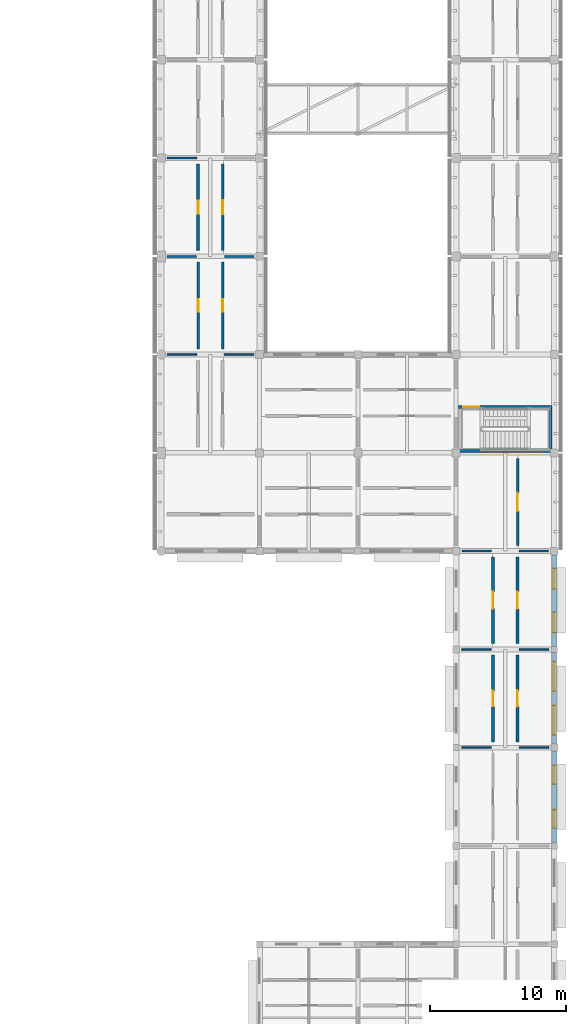
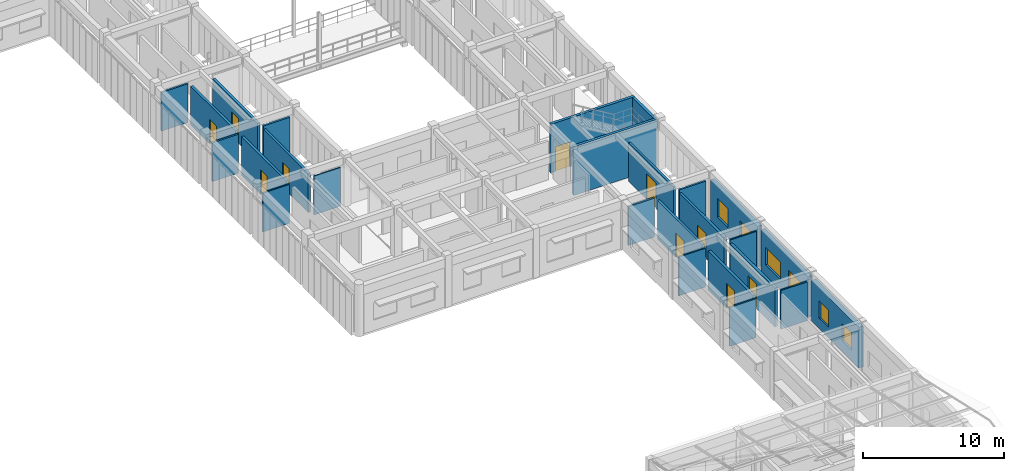
# One storey, part 137 of 171: 26 walls, 10 doors, 6 windows, 16 openings.
"""IFC4 building model written with IfcOpenShell, lengths in metres."""

from ifc_helpers import new_model, si_unit, direction, frame, frame_2d, origin, place, context, subcontext, project, spatial, rectangle, extrude, material, layer, layer_set, type_object, element, fill, save


model = new_model("IFC4")

# Units and contexts
model_context = context("Model", 3, precision=1e-05, world=origin(), true_north=direction((0.0, 1.0)))
body_context = subcontext(model_context, "Body", "Model", "MODEL_VIEW")
ifc_project = project(units=[si_unit("LENGTHUNIT", "METRE"), si_unit("AREAUNIT", "SQUARE_METRE"), si_unit("VOLUMEUNIT", "CUBIC_METRE"), si_unit("PLANEANGLEUNIT", "RADIAN"), si_unit("MASSUNIT", "GRAM", prefix="KILO")], contexts=[model_context])

# Site, building, storey
site_placement = place(None, origin())
site = spatial("IfcSite", under=ifc_project, at=site_placement, CompositionType="ELEMENT")
building_placement = place(site_placement, origin())
building = spatial("IfcBuilding", under=site, at=building_placement, Name="Aldebral Square Health Centre", CompositionType="ELEMENT")
storey_placement = place(building_placement, frame((0.0, 0.0, 4.5)))
storey = spatial("IfcBuildingStorey", under=building, at=storey_placement, Name="L01", CompositionType="ELEMENT", Elevation=4.5)

# Wall, openings, windows
ifc_material_1 = material(Name="Cream cantera stone and concrete wall C35/45", Category="masonry")
ifc_layer_1 = layer(ifc_material_1, 0.340087890625, Name="Cream cantera stone and concrete wall C35/45", Category="masonry")
ifc_layer_set_1 = layer_set([ifc_layer_1], Name="Cream cantera stone and concrete wall C35/45")
wall_type_1 = type_object("IfcWallType", Name="EW-CAN-340", PredefinedType="SOLIDWALL", material=ifc_layer_set_1)
wall_1_placement = place(storey_placement, frame((165.60009765625, 36.25, 0.0), z_axis=(0.0, 0.0, 1.0), x_axis=(0.0, 1.0, 0.0)))
wall_1 = element("IfcWall", 1, at=wall_1_placement, inside=storey, type_object=wall_type_1, Name="L01 V3 exterior wall L01-V3-22-05-E", PredefinedType="SOLIDWALL", context=body_context, shape_type="SweptSolid", body=[
    extrude(rectangle(XDim=6.72509765625, YDim=0.340087890625, at=frame_2d((3.362548828125, 0.0))), origin(), (0.0, 0.0, 1.0), 3.52001953125),
])
opening_1_placement = place(wall_1_placement, frame((0.675048828125, 0.0, 0.89990234375)))
opening_1 = element("IfcOpeningElement", 2, at=opening_1_placement, cuts=wall_1, Name="Opening W27", PredefinedType="OPENING", context=body_context, shape_type="SweptSolid", body=[
    extrude(rectangle(XDim=2.14990234375, YDim=1.5, at=frame_2d((1.074951171875, 0.75))), frame((0.0, 0.18017578125, 0.0), z_axis=(0.0, -1.0, 0.0), x_axis=(1.0, 0.0, 0.0)), (0.0, 0.0, 1.0), 0.360107421875),
])
opening_2_placement = place(wall_1_placement, frame((3.89990234375, 0.0, 0.89990234375)))
opening_2 = element("IfcOpeningElement", 3, at=opening_2_placement, cuts=wall_1, Name="Opening W27", PredefinedType="OPENING", context=body_context, shape_type="SweptSolid", body=[
    extrude(rectangle(XDim=2.14990234375, YDim=1.5, at=frame_2d((1.074951171875, 0.75))), frame((0.0, 0.18017578125, 0.0), z_axis=(0.0, -1.0, 0.0), x_axis=(1.0, 0.0, 0.0)), (0.0, 0.0, 1.0), 0.360107421875),
])
ifc_material_2 = material(Name="Thermally broken aluminium and low-E glass", Category="aluminium")
window_type_1 = type_object("IfcWindowType", Name="WIN-W27", PartitioningType="SINGLE_PANEL", PredefinedType="WINDOW", material=ifc_material_2)
window_1_placement = place(opening_1_placement, origin())
window_1 = element("IfcWindow", 4, at=window_1_placement, inside=storey, type_object=window_type_1, Name="L01 clinical window L01-V3-22-05-E.1", OverallHeight=1.5, OverallWidth=2.14990234375, PartitioningType="SINGLE_PANEL", PredefinedType="WINDOW", context=body_context, shape_type="SweptSolid", body=[
    extrude(rectangle(XDim=2.14990234375, YDim=1.5, at=frame_2d((1.074951171875, 0.75))), frame((0.0, 0.030029296875, 0.0), z_axis=(0.0, -1.0, 0.0), x_axis=(1.0, 0.0, 0.0)), (0.0, 0.0, 1.0), 0.06005859375),
])
fill(opening_1, window_1)
window_2_placement = place(opening_2_placement, origin())
window_2 = element("IfcWindow", 5, at=window_2_placement, inside=storey, type_object=window_type_1, Name="L01 clinical window L01-V3-22-05-E.2", OverallHeight=1.5, OverallWidth=2.14990234375, PartitioningType="SINGLE_PANEL", PredefinedType="WINDOW", context=body_context, shape_type="SweptSolid", body=[
    extrude(rectangle(XDim=2.14990234375, YDim=1.5, at=frame_2d((1.074951171875, 0.75))), frame((0.0, 0.030029296875, 0.0), z_axis=(0.0, -1.0, 0.0), x_axis=(1.0, 0.0, 0.0)), (0.0, 0.0, 1.0), 0.06005859375),
])
fill(opening_2, window_2)

ifc_layer_2 = layer(ifc_material_1, 0.360107421875, Name="Cream cantera stone and concrete wall C35/45", Category="masonry")
ifc_layer_set_2 = layer_set([ifc_layer_2], Name="Cream cantera stone and concrete wall C35/45")
wall_type_2 = type_object("IfcWallType", Name="EW-CAN-360", PredefinedType="SOLIDWALL", material=ifc_layer_set_2)
wall_2_placement = place(storey_placement, frame((165.60009765625, 29.02490234375, 0.0), z_axis=(0.0, 0.0, 1.0), x_axis=(0.0, 1.0, 0.0)))
wall_2 = element("IfcWall", 6, at=wall_2_placement, inside=storey, type_object=wall_type_2, Name="L01 V3 exterior wall L01-V3-22-04-E", PredefinedType="SOLIDWALL", context=body_context, shape_type="SweptSolid", body=[
    extrude(rectangle(XDim=6.72509765625, YDim=0.360107421875, at=frame_2d((3.362548828125, 0.0))), origin(), (0.0, 0.0, 1.0), 3.52001953125),
])
opening_3_placement = place(wall_2_placement, frame((1.074951171875, 0.0, 0.89990234375)))
opening_3 = element("IfcOpeningElement", 7, at=opening_3_placement, cuts=wall_2, Name="Opening W22", PredefinedType="OPENING", context=body_context, shape_type="SweptSolid", body=[
    extrude(rectangle(XDim=1.35009765625, YDim=1.5, at=frame_2d((0.675048828125, 0.75))), frame((0.0, 0.18994140625, 0.0), z_axis=(0.0, -1.0, 0.0), x_axis=(1.0, 0.0, 0.0)), (0.0, 0.0, 1.0), 0.380126953125),
])
opening_4_placement = place(wall_2_placement, frame((4.300048828125, 0.0, 0.89990234375)))
opening_4 = element("IfcOpeningElement", 8, at=opening_4_placement, cuts=wall_2, Name="Opening W22", PredefinedType="OPENING", context=body_context, shape_type="SweptSolid", body=[
    extrude(rectangle(XDim=1.35009765625, YDim=1.5, at=frame_2d((0.675048828125, 0.75))), frame((0.0, 0.18994140625, 0.0), z_axis=(0.0, -1.0, 0.0), x_axis=(1.0, 0.0, 0.0)), (0.0, 0.0, 1.0), 0.380126953125),
])
window_type_2 = type_object("IfcWindowType", Name="WIN-W22", PartitioningType="SINGLE_PANEL", PredefinedType="WINDOW", material=ifc_material_2)
window_3_placement = place(opening_3_placement, origin())
window_3 = element("IfcWindow", 9, at=window_3_placement, inside=storey, type_object=window_type_2, Name="L01 clinical window L01-V3-22-04-E.1", OverallHeight=1.5, OverallWidth=1.35009765625, PartitioningType="SINGLE_PANEL", PredefinedType="WINDOW", context=body_context, shape_type="SweptSolid", body=[
    extrude(rectangle(XDim=1.35009765625, YDim=1.5, at=frame_2d((0.675048828125, 0.75))), frame((0.0, 0.030029296875, 0.0), z_axis=(0.0, -1.0, 0.0), x_axis=(1.0, 0.0, 0.0)), (0.0, 0.0, 1.0), 0.06005859375),
])
fill(opening_3, window_3)
window_4_placement = place(opening_4_placement, origin())
window_4 = element("IfcWindow", 10, at=window_4_placement, inside=storey, type_object=window_type_2, Name="L01 clinical window L01-V3-22-04-E.2", OverallHeight=1.5, OverallWidth=1.35009765625, PartitioningType="SINGLE_PANEL", PredefinedType="WINDOW", context=body_context, shape_type="SweptSolid", body=[
    extrude(rectangle(XDim=1.35009765625, YDim=1.5, at=frame_2d((0.675048828125, 0.75))), frame((0.0, 0.030029296875, 0.0), z_axis=(0.0, -1.0, 0.0), x_axis=(1.0, 0.0, 0.0)), (0.0, 0.0, 1.0), 0.06005859375),
])
fill(opening_4, window_4)

wall_3_placement = place(storey_placement, frame((165.60009765625, 43.425048828125, 0.0), z_axis=(0.0, 0.0, 1.0), x_axis=(0.0, 1.0, 0.0)))
wall_3 = element("IfcWall", 11, at=wall_3_placement, inside=storey, type_object=wall_type_2, Name="L01 V3 exterior wall L01-V3-22-06-E", PredefinedType="SOLIDWALL", context=body_context, shape_type="SweptSolid", body=[
    extrude(rectangle(XDim=6.699951171875, YDim=0.360107421875, at=frame_2d((3.35009765625, 0.0))), origin(), (0.0, 0.0, 1.0), 3.52001953125),
])
opening_5_placement = place(wall_3_placement, frame((1.0, 0.0, 0.89990234375)))
opening_5 = element("IfcOpeningElement", 12, at=opening_5_placement, cuts=wall_3, Name="Opening W32", PredefinedType="OPENING", context=body_context, shape_type="SweptSolid", body=[
    extrude(rectangle(XDim=1.5, YDim=1.6201171875, at=frame_2d((0.75, 0.81005859375))), frame((0.0, 0.18994140625, 0.0), z_axis=(0.0, -1.0, 0.0), x_axis=(1.0, 0.0, 0.0)), (0.0, 0.0, 1.0), 0.380126953125),
])
opening_6_placement = place(wall_3_placement, frame((4.199951171875, 0.0, 0.89990234375)))
opening_6 = element("IfcOpeningElement", 13, at=opening_6_placement, cuts=wall_3, Name="Opening W32", PredefinedType="OPENING", context=body_context, shape_type="SweptSolid", body=[
    extrude(rectangle(XDim=1.5, YDim=1.6201171875, at=frame_2d((0.75, 0.81005859375))), frame((0.0, 0.18994140625, 0.0), z_axis=(0.0, -1.0, 0.0), x_axis=(1.0, 0.0, 0.0)), (0.0, 0.0, 1.0), 0.380126953125),
])
window_type_3 = type_object("IfcWindowType", Name="WIN-W32", PartitioningType="SINGLE_PANEL", PredefinedType="WINDOW", material=ifc_material_2)
window_5_placement = place(opening_5_placement, origin())
window_5 = element("IfcWindow", 14, at=window_5_placement, inside=storey, type_object=window_type_3, Name="L01 clinical window L01-V3-22-06-E.1", OverallHeight=1.6201171875, OverallWidth=1.5, PartitioningType="SINGLE_PANEL", PredefinedType="WINDOW", context=body_context, shape_type="SweptSolid", body=[
    extrude(rectangle(XDim=1.5, YDim=1.6201171875, at=frame_2d((0.75, 0.81005859375))), frame((0.0, 0.030029296875, 0.0), z_axis=(0.0, -1.0, 0.0), x_axis=(1.0, 0.0, 0.0)), (0.0, 0.0, 1.0), 0.06005859375),
])
fill(opening_5, window_5)
window_6_placement = place(opening_6_placement, origin())
window_6 = element("IfcWindow", 15, at=window_6_placement, inside=storey, type_object=window_type_3, Name="L01 clinical window L01-V3-22-06-E.2", OverallHeight=1.6201171875, OverallWidth=1.5, PartitioningType="SINGLE_PANEL", PredefinedType="WINDOW", context=body_context, shape_type="SweptSolid", body=[
    extrude(rectangle(XDim=1.5, YDim=1.6201171875, at=frame_2d((0.75, 0.81005859375))), frame((0.0, 0.030029296875, 0.0), z_axis=(0.0, -1.0, 0.0), x_axis=(1.0, 0.0, 0.0)), (0.0, 0.0, 1.0), 0.06005859375),
])
fill(opening_6, window_6)

# Wall, opening, door
ifc_material_3 = material(Name="Concrete C35/45 compartment wall", Category="concrete")
ifc_layer_3 = layer(ifc_material_3, 0.199951171875, Name="Concrete C35/45 compartment wall", Category="concrete")
ifc_layer_set_3 = layer_set([ifc_layer_3], Name="Concrete C35/45 compartment wall")
wall_type_3 = type_object("IfcWallType", Name="IW-CMP-200", PredefinedType="SOLIDWALL", material=ifc_layer_set_3)
wall_4_placement = place(storey_placement, frame((161.10009765625, 43.6201171875, 0.0), z_axis=(0.0, 0.0, 1.0), x_axis=(0.0, 1.0, 0.0)))
wall_4 = element("IfcWall", 16, at=wall_4_placement, inside=storey, type_object=wall_type_3, Name="L01 Occupational Therapy Workshop 23.7W corridor wall", PredefinedType="SOLIDWALL", context=body_context, shape_type="SweptSolid", body=[
    extrude(rectangle(XDim=6.35986328125, YDim=0.199951171875, at=frame_2d((3.179931640625, 0.0))), origin(), (0.0, 0.0, 1.0), 3.360107421875),
])
opening_7_placement = place(wall_4_placement, frame((2.570068359375, 0.0, 0.0)))
opening_7 = element("IfcOpeningElement", 17, at=opening_7_placement, cuts=wall_4, Name="Opening D-0262", PredefinedType="OPENING", context=body_context, shape_type="SweptSolid", body=[
    extrude(rectangle(XDim=1.219970703125, YDim=2.139892578125, at=frame_2d((0.60986328125, 1.06982421875))), frame((0.0, 0.10986328125, 0.0), z_axis=(0.0, -1.0, 0.0), x_axis=(1.0, 0.0, 0.0)), (0.0, 0.0, 1.0), 0.219970703125),
])
ifc_material_4 = material(Name="Clinical suite fire door")
door_type_1 = type_object("IfcDoorType", Name="ID-EXD-40", OperationType="NOTDEFINED", PredefinedType="DOOR", material=ifc_material_4)
door_1_placement = place(opening_7_placement, origin())
door_1 = element("IfcDoor", 18, at=door_1_placement, inside=storey, type_object=door_type_1, Name="L01 Occupational Therapy Workshop 23.7W door", OperationType="SINGLE_SWING_LEFT", OverallHeight=2.139892578125, OverallWidth=1.219970703125, PredefinedType="DOOR", context=body_context, shape_type="SweptSolid", body=[
    extrude(rectangle(XDim=1.219970703125, YDim=2.139892578125, at=frame_2d((0.60986328125, 1.06982421875))), frame((0.0, 0.02490234375, 0.0), z_axis=(0.0, -1.0, 0.0), x_axis=(1.0, 0.0, 0.0)), (0.0, 0.0, 1.0), 0.050048828125),
])
fill(opening_7, door_1)

wall_5_placement = place(storey_placement, frame((162.89990234375, 43.6201171875, 0.0), z_axis=(0.0, 0.0, 1.0), x_axis=(0.0, 1.0, 0.0)))
wall_5 = element("IfcWall", 19, at=wall_5_placement, inside=storey, type_object=wall_type_3, Name="L01 Sensory Recovery Suite 23.7E corridor wall", PredefinedType="SOLIDWALL", context=body_context, shape_type="SweptSolid", body=[
    extrude(rectangle(XDim=6.35986328125, YDim=0.199951171875, at=frame_2d((3.179931640625, 0.0))), origin(), (0.0, 0.0, 1.0), 3.360107421875),
])
opening_8_placement = place(wall_5_placement, frame((2.550048828125, 0.0, 0.0)))
opening_8 = element("IfcOpeningElement", 20, at=opening_8_placement, cuts=wall_5, Name="Opening D-0263", PredefinedType="OPENING", context=body_context, shape_type="SweptSolid", body=[
    extrude(rectangle(XDim=1.260009765625, YDim=2.139892578125, at=frame_2d((0.6298828125, 1.06982421875))), frame((0.0, 0.10986328125, 0.0), z_axis=(0.0, -1.0, 0.0), x_axis=(1.0, 0.0, 0.0)), (0.0, 0.0, 1.0), 0.219970703125),
])
door_type_2 = type_object("IfcDoorType", Name="ID-EXD-41", OperationType="NOTDEFINED", PredefinedType="DOOR", material=ifc_material_4)
door_2_placement = place(opening_8_placement, origin())
door_2 = element("IfcDoor", 21, at=door_2_placement, inside=storey, type_object=door_type_2, Name="L01 Sensory Recovery Suite 23.7E door", OperationType="SINGLE_SWING_RIGHT", OverallHeight=2.139892578125, OverallWidth=1.260009765625, PredefinedType="DOOR", context=body_context, shape_type="SweptSolid", body=[
    extrude(rectangle(XDim=1.260009765625, YDim=2.139892578125, at=frame_2d((0.6298828125, 1.06982421875))), frame((0.0, 0.02490234375, 0.0), z_axis=(0.0, -1.0, 0.0), x_axis=(1.0, 0.0, 0.0)), (0.0, 0.0, 1.0), 0.050048828125),
])
fill(opening_8, door_2)

wall_6_placement = place(storey_placement, frame((139.5, 65.219970703125, 0.0), z_axis=(0.0, 0.0, 1.0), x_axis=(0.0, 1.0, 0.0)))
wall_6 = element("IfcWall", 22, at=wall_6_placement, inside=storey, type_object=wall_type_3, Name="L01 Maternal-Child Clinic 20.10W corridor wall", PredefinedType="SOLIDWALL", context=body_context, shape_type="SweptSolid", body=[
    extrude(rectangle(XDim=6.360107421875, YDim=0.199951171875, at=frame_2d((3.18017578125, 0.0))), origin(), (0.0, 0.0, 1.0), 3.360107421875),
])
opening_9_placement = place(wall_6_placement, frame((2.72998046875, 0.0, 0.0)))
opening_9 = element("IfcOpeningElement", 23, at=opening_9_placement, cuts=wall_6, Name="Opening D-0323", PredefinedType="OPENING", context=body_context, shape_type="SweptSolid", body=[
    extrude(rectangle(XDim=0.89990234375, YDim=2.139892578125, at=frame_2d((0.449951171875, 1.06982421875))), frame((0.0, 0.10986328125, 0.0), z_axis=(0.0, -1.0, 0.0), x_axis=(1.0, 0.0, 0.0)), (0.0, 0.0, 1.0), 0.219970703125),
])
door_type_3 = type_object("IfcDoorType", Name="ID-EXD-32", OperationType="NOTDEFINED", PredefinedType="DOOR", material=ifc_material_4)
door_3_placement = place(opening_9_placement, origin())
door_3 = element("IfcDoor", 24, at=door_3_placement, inside=storey, type_object=door_type_3, Name="L01 Maternal-Child Clinic 20.10W door", OperationType="SINGLE_SWING_RIGHT", OverallHeight=2.139892578125, OverallWidth=0.89990234375, PredefinedType="DOOR", context=body_context, shape_type="SweptSolid", body=[
    extrude(rectangle(XDim=0.89990234375, YDim=2.139892578125, at=frame_2d((0.449951171875, 1.06982421875))), frame((0.0, 0.02490234375, 0.0), z_axis=(0.0, -1.0, 0.0), x_axis=(1.0, 0.0, 0.0)), (0.0, 0.0, 1.0), 0.050048828125),
])
fill(opening_9, door_3)

wall_7_placement = place(storey_placement, frame((141.300048828125, 65.219970703125, 0.0), z_axis=(0.0, 0.0, 1.0), x_axis=(0.0, 1.0, 0.0)))
wall_7 = element("IfcWall", 25, at=wall_7_placement, inside=storey, type_object=wall_type_3, Name="L01 Clean Supply Store 20.10E corridor wall", PredefinedType="SOLIDWALL", context=body_context, shape_type="SweptSolid", body=[
    extrude(rectangle(XDim=6.360107421875, YDim=0.199951171875, at=frame_2d((3.18017578125, 0.0))), origin(), (0.0, 0.0, 1.0), 3.360107421875),
])
opening_10_placement = place(wall_7_placement, frame((2.7099609375, 0.0, 0.0)))
opening_10 = element("IfcOpeningElement", 26, at=opening_10_placement, cuts=wall_7, Name="Opening D-0324", PredefinedType="OPENING", context=body_context, shape_type="SweptSolid", body=[
    extrude(rectangle(XDim=0.93994140625, YDim=2.139892578125, at=frame_2d((0.469970703125, 1.06982421875))), frame((0.0, 0.10986328125, 0.0), z_axis=(0.0, -1.0, 0.0), x_axis=(1.0, 0.0, 0.0)), (0.0, 0.0, 1.0), 0.219970703125),
])
door_type_4 = type_object("IfcDoorType", Name="ID-EXD-33", OperationType="NOTDEFINED", PredefinedType="DOOR", material=ifc_material_4)
door_4_placement = place(opening_10_placement, origin())
door_4 = element("IfcDoor", 27, at=door_4_placement, inside=storey, type_object=door_type_4, Name="L01 Clean Supply Store 20.10E door", OperationType="SINGLE_SWING_LEFT", OverallHeight=2.139892578125, OverallWidth=0.93994140625, PredefinedType="DOOR", context=body_context, shape_type="SweptSolid", body=[
    extrude(rectangle(XDim=0.93994140625, YDim=2.139892578125, at=frame_2d((0.469970703125, 1.06982421875))), frame((0.0, 0.02490234375, 0.0), z_axis=(0.0, -1.0, 0.0), x_axis=(1.0, 0.0, 0.0)), (0.0, 0.0, 1.0), 0.050048828125),
])
fill(opening_10, door_4)

ifc_layer_4 = layer(ifc_material_3, 0.219970703125, Name="Concrete C35/45 compartment wall", Category="concrete")
ifc_layer_set_4 = layer_set([ifc_layer_4], Name="Concrete C35/45 compartment wall")
wall_type_4 = type_object("IfcWallType", Name="IW-CMP-220", PredefinedType="SOLIDWALL", material=ifc_layer_set_4)
wall_8_placement = place(storey_placement, frame((162.89990234375, 36.419921875, 0.0), z_axis=(0.0, 0.0, 1.0), x_axis=(0.0, 1.0, 0.0)))
wall_8 = element("IfcWall", 28, at=wall_8_placement, inside=storey, type_object=wall_type_4, Name="L01 Therapy Pavilion Studio 23.6E corridor wall", PredefinedType="SOLIDWALL", context=body_context, shape_type="SweptSolid", body=[
    extrude(rectangle(XDim=6.360107421875, YDim=0.219970703125, at=frame_2d((3.18017578125, 0.0))), origin(), (0.0, 0.0, 1.0), 3.360107421875),
])
opening_11_placement = place(wall_8_placement, frame((2.590087890625, 0.0, 0.0)))
opening_11 = element("IfcOpeningElement", 29, at=opening_11_placement, cuts=wall_8, Name="Opening D-0261", PredefinedType="OPENING", context=body_context, shape_type="SweptSolid", body=[
    extrude(rectangle(XDim=1.179931640625, YDim=2.139892578125, at=frame_2d((0.58984375, 1.06982421875))), frame((0.0, 0.1201171875, 0.0), z_axis=(0.0, -1.0, 0.0), x_axis=(1.0, 0.0, 0.0)), (0.0, 0.0, 1.0), 0.239990234375),
])
door_type_5 = type_object("IfcDoorType", Name="ID-EXD-39", OperationType="NOTDEFINED", PredefinedType="DOOR", material=ifc_material_4)
door_5_placement = place(opening_11_placement, origin())
door_5 = element("IfcDoor", 30, at=door_5_placement, inside=storey, type_object=door_type_5, Name="L01 Therapy Pavilion Studio 23.6E door", OperationType="SINGLE_SWING_RIGHT", OverallHeight=2.139892578125, OverallWidth=1.179931640625, PredefinedType="DOOR", context=body_context, shape_type="SweptSolid", body=[
    extrude(rectangle(XDim=1.179931640625, YDim=2.139892578125, at=frame_2d((0.58984375, 1.06982421875))), frame((0.0, 0.02490234375, 0.0), z_axis=(0.0, -1.0, 0.0), x_axis=(1.0, 0.0, 0.0)), (0.0, 0.0, 1.0), 0.050048828125),
])
fill(opening_11, door_5)

ifc_material_5 = material(Name="Fire-rated acoustic gypsum partition")
ifc_layer_5 = layer(ifc_material_5, 0.179931640625, Name="Fire-rated acoustic gypsum partition")
ifc_layer_set_5 = layer_set([ifc_layer_5], Name="Fire-rated acoustic gypsum partition")
wall_type_5 = type_object("IfcWallType", Name="IW-COR-180", PredefinedType="PARTITIONING", material=ifc_layer_set_5)
wall_9_placement = place(storey_placement, frame((162.89990234375, 50.820068359375, 0.0), z_axis=(0.0, 0.0, 1.0), x_axis=(0.0, 1.0, 0.0)))
wall_9 = element("IfcWall", 31, at=wall_9_placement, inside=storey, type_object=wall_type_5, Name="L01 Audiology Testing Booth 23.8E corridor wall", PredefinedType="PARTITIONING", context=body_context, shape_type="SweptSolid", body=[
    extrude(rectangle(XDim=6.35986328125, YDim=0.179931640625, at=frame_2d((3.179931640625, 0.0))), origin(), (0.0, 0.0, 1.0), 3.360107421875),
])
opening_12_placement = place(wall_9_placement, frame((2.510009765625, 0.0, 0.0)))
opening_12 = element("IfcOpeningElement", 32, at=opening_12_placement, cuts=wall_9, Name="Opening D-0350", PredefinedType="OPENING", context=body_context, shape_type="SweptSolid", body=[
    extrude(rectangle(XDim=1.340087890625, YDim=2.18994140625, at=frame_2d((0.669921875, 1.094970703125))), frame((0.0, 0.10009765625, 0.0), z_axis=(0.0, -1.0, 0.0), x_axis=(1.0, 0.0, 0.0)), (0.0, 0.0, 1.0), 0.199951171875),
])
door_type_6 = type_object("IfcDoorType", Name="ID-EXD-59", OperationType="NOTDEFINED", PredefinedType="DOOR", material=ifc_material_4)
door_6_placement = place(opening_12_placement, origin())
door_6 = element("IfcDoor", 33, at=door_6_placement, inside=storey, type_object=door_type_6, Name="L01 Audiology Testing Booth 23.8E door", OperationType="SINGLE_SWING_LEFT", OverallHeight=2.18994140625, OverallWidth=1.340087890625, PredefinedType="DOOR", context=body_context, shape_type="SweptSolid", body=[
    extrude(rectangle(XDim=1.340087890625, YDim=2.18994140625, at=frame_2d((0.669921875, 1.094970703125))), frame((0.0, 0.02490234375, 0.0), z_axis=(0.0, -1.0, 0.0), x_axis=(1.0, 0.0, 0.0)), (0.0, 0.0, 1.0), 0.050048828125),
])
fill(opening_12, door_6)

# Wall
ifc_material_6 = material(Name="Concrete C40/50", Category="concrete")
ifc_layer_6 = layer(ifc_material_6, 0.219970703125, Name="Concrete C40/50", Category="concrete")
ifc_layer_set_6 = layer_set([ifc_layer_6], Name="Concrete C40/50")
wall_type_6 = type_object("IfcWallType", Name="IW-CORE-280", PredefinedType="SHEAR", material=ifc_layer_set_6)
wall_10_placement = place(storey_placement, frame((158.56005859375, 57.72998046875, 0.0), z_axis=(0.0, 0.0, 1.0), x_axis=(1.0, 0.0, 0.0)))
element("IfcWall", 34, at=wall_10_placement, inside=storey, type_object=wall_type_6, Name="L01 WS-S9 shaft wall S", PredefinedType="SHEAR", context=body_context, shape_type="SweptSolid", body=[
    extrude(rectangle(XDim=6.8798828125, YDim=0.219970703125, at=frame_2d((3.43994140625, 0.0))), origin(), (0.0, 0.0, 1.0), 4.219970703125),
])

# Wall, opening, door
wall_11_placement = place(storey_placement, frame((158.56005859375, 60.949951171875, 0.0), z_axis=(0.0, 0.0, 1.0), x_axis=(1.0, 0.0, 0.0)))
wall_11 = element("IfcWall", 35, at=wall_11_placement, inside=storey, type_object=wall_type_6, Name="L01 WS-S9 shaft wall N", PredefinedType="SHEAR", context=body_context, shape_type="SweptSolid", body=[
    extrude(rectangle(XDim=6.8798828125, YDim=0.219970703125, at=frame_2d((3.43994140625, 0.0))), origin(), (0.0, 0.0, 1.0), 4.219970703125),
])
opening_13_placement = place(wall_11_placement, frame((0.35009765625, 0.0, 0.0)))
opening_13 = element("IfcOpeningElement", 36, at=opening_13_placement, cuts=wall_11, Name="Opening D-0073", PredefinedType="OPENING", context=body_context, shape_type="SweptSolid", body=[
    extrude(rectangle(XDim=1.199951171875, YDim=2.14990234375, at=frame_2d((0.60009765625, 1.074951171875))), frame((0.0, 0.1201171875, 0.0), z_axis=(0.0, -1.0, 0.0), x_axis=(1.0, 0.0, 0.0)), (0.0, 0.0, 1.0), 0.239990234375),
])
ifc_material_7 = material(Name="Fire-rated steel stair door", Category="steel")
door_type_7 = type_object("IfcDoorType", Name="ID-ST-120", OperationType="NOTDEFINED", PredefinedType="DOOR", material=ifc_material_7)
door_7_placement = place(opening_13_placement, origin())
door_7 = element("IfcDoor", 37, at=door_7_placement, inside=storey, type_object=door_type_7, Name="L01 ST-09 fire door", OperationType="SINGLE_SWING_LEFT", OverallHeight=2.14990234375, OverallWidth=1.199951171875, PredefinedType="DOOR", context=body_context, shape_type="SweptSolid", body=[
    extrude(rectangle(XDim=1.199951171875, YDim=2.14990234375, at=frame_2d((0.60009765625, 1.074951171875))), frame((0.0, 0.02490234375, 0.0), z_axis=(0.0, -1.0, 0.0), x_axis=(1.0, 0.0, 0.0)), (0.0, 0.0, 1.0), 0.050048828125),
])
fill(opening_13, door_7)

# Wall
wall_12_placement = place(storey_placement, frame((165.330078125, 57.840087890625, 0.0), z_axis=(0.0, 0.0, 1.0), x_axis=(0.0, 1.0, 0.0)))
element("IfcWall", 38, at=wall_12_placement, inside=storey, type_object=wall_type_6, Name="L01 WS-S9 shaft wall E", PredefinedType="SHEAR", context=body_context, shape_type="SweptSolid", body=[
    extrude(rectangle(XDim=3.0, YDim=0.219970703125, at=frame_2d((1.5, 0.0))), origin(), (0.0, 0.0, 1.0), 4.219970703125),
])

# Wall, opening, door
ifc_material_8 = material(Name="Moisture-resistant sanitary chase wall")
ifc_layer_7 = layer(ifc_material_8, 0.2099609375, Name="Moisture-resistant sanitary chase wall")
ifc_layer_set_7 = layer_set([ifc_layer_7], Name="Moisture-resistant sanitary chase wall")
wall_type_7 = type_object("IfcWallType", Name="IW-PLB-210", PredefinedType="PLUMBINGWALL", material=ifc_layer_set_7)
wall_13_placement = place(storey_placement, frame((161.10009765625, 36.419921875, 0.0), z_axis=(0.0, 0.0, 1.0), x_axis=(0.0, 1.0, 0.0)))
wall_13 = element("IfcWall", 39, at=wall_13_placement, inside=storey, type_object=wall_type_7, Name="L01 Accessible WC 23.6W corridor wall", PredefinedType="PLUMBINGWALL", context=body_context, shape_type="SweptSolid", body=[
    extrude(rectangle(XDim=6.360107421875, YDim=0.2099609375, at=frame_2d((3.18017578125, 0.0))), origin(), (0.0, 0.0, 1.0), 3.360107421875),
])
opening_14_placement = place(wall_13_placement, frame((2.610107421875, 0.0, 0.0)))
opening_14 = element("IfcOpeningElement", 40, at=opening_14_placement, cuts=wall_13, Name="Opening D-0260", PredefinedType="OPENING", context=body_context, shape_type="SweptSolid", body=[
    extrude(rectangle(XDim=1.139892578125, YDim=2.139892578125, at=frame_2d((0.56982421875, 1.06982421875))), frame((0.0, 0.114990234375, 0.0), z_axis=(0.0, -1.0, 0.0), x_axis=(1.0, 0.0, 0.0)), (0.0, 0.0, 1.0), 0.22998046875),
])
door_type_8 = type_object("IfcDoorType", Name="ID-EXD-38", OperationType="NOTDEFINED", PredefinedType="DOOR", material=ifc_material_4)
door_8_placement = place(opening_14_placement, origin())
door_8 = element("IfcDoor", 41, at=door_8_placement, inside=storey, type_object=door_type_8, Name="L01 Accessible WC 23.6W door", OperationType="SINGLE_SWING_LEFT", OverallHeight=2.139892578125, OverallWidth=1.139892578125, PredefinedType="DOOR", context=body_context, shape_type="SweptSolid", body=[
    extrude(rectangle(XDim=1.139892578125, YDim=2.139892578125, at=frame_2d((0.56982421875, 1.06982421875))), frame((0.0, 0.02490234375, 0.0), z_axis=(0.0, -1.0, 0.0), x_axis=(1.0, 0.0, 0.0)), (0.0, 0.0, 1.0), 0.050048828125),
])
fill(opening_14, door_8)

wall_14_placement = place(storey_placement, frame((139.5, 72.419921875, 0.0), z_axis=(0.0, 0.0, 1.0), x_axis=(0.0, 1.0, 0.0)))
wall_14 = element("IfcWall", 42, at=wall_14_placement, inside=storey, type_object=wall_type_7, Name="L01 Accessible WC 20.11W corridor wall", PredefinedType="PLUMBINGWALL", context=body_context, shape_type="SweptSolid", body=[
    extrude(rectangle(XDim=6.360107421875, YDim=0.2099609375, at=frame_2d((3.18017578125, 0.0))), origin(), (0.0, 0.0, 1.0), 3.360107421875),
])
opening_15_placement = place(wall_14_placement, frame((2.68994140625, 0.0, 0.0)))
opening_15 = element("IfcOpeningElement", 43, at=opening_15_placement, cuts=wall_14, Name="Opening D-0325", PredefinedType="OPENING", context=body_context, shape_type="SweptSolid", body=[
    extrude(rectangle(XDim=0.97998046875, YDim=2.139892578125, at=frame_2d((0.489990234375, 1.06982421875))), frame((0.0, 0.114990234375, 0.0), z_axis=(0.0, -1.0, 0.0), x_axis=(1.0, 0.0, 0.0)), (0.0, 0.0, 1.0), 0.22998046875),
])
door_type_9 = type_object("IfcDoorType", Name="ID-EXD-34", OperationType="NOTDEFINED", PredefinedType="DOOR", material=ifc_material_4)
door_9_placement = place(opening_15_placement, origin())
door_9 = element("IfcDoor", 44, at=door_9_placement, inside=storey, type_object=door_type_9, Name="L01 Accessible WC 20.11W door", OperationType="SINGLE_SWING_RIGHT", OverallHeight=2.139892578125, OverallWidth=0.97998046875, PredefinedType="DOOR", context=body_context, shape_type="SweptSolid", body=[
    extrude(rectangle(XDim=0.97998046875, YDim=2.139892578125, at=frame_2d((0.489990234375, 1.06982421875))), frame((0.0, 0.02490234375, 0.0), z_axis=(0.0, -1.0, 0.0), x_axis=(1.0, 0.0, 0.0)), (0.0, 0.0, 1.0), 0.050048828125),
])
fill(opening_15, door_9)

wall_15_placement = place(storey_placement, frame((141.300048828125, 72.419921875, 0.0), z_axis=(0.0, 0.0, 1.0), x_axis=(0.0, 1.0, 0.0)))
wall_15 = element("IfcWall", 45, at=wall_15_placement, inside=storey, type_object=wall_type_7, Name="L01 Patient Toilet 20.11E corridor wall", PredefinedType="PLUMBINGWALL", context=body_context, shape_type="SweptSolid", body=[
    extrude(rectangle(XDim=6.360107421875, YDim=0.2099609375, at=frame_2d((3.18017578125, 0.0))), origin(), (0.0, 0.0, 1.0), 3.360107421875),
])
opening_16_placement = place(wall_15_placement, frame((2.669921875, 0.0, 0.0)))
opening_16 = element("IfcOpeningElement", 46, at=opening_16_placement, cuts=wall_15, Name="Opening D-0326", PredefinedType="OPENING", context=body_context, shape_type="SweptSolid", body=[
    extrude(rectangle(XDim=1.02001953125, YDim=2.139892578125, at=frame_2d((0.510009765625, 1.06982421875))), frame((0.0, 0.114990234375, 0.0), z_axis=(0.0, -1.0, 0.0), x_axis=(1.0, 0.0, 0.0)), (0.0, 0.0, 1.0), 0.22998046875),
])
door_type_10 = type_object("IfcDoorType", Name="ID-EXD-35", OperationType="NOTDEFINED", PredefinedType="DOOR", material=ifc_material_4)
door_10_placement = place(opening_16_placement, origin())
door_10 = element("IfcDoor", 47, at=door_10_placement, inside=storey, type_object=door_type_10, Name="L01 Patient Toilet 20.11E door", OperationType="SINGLE_SWING_LEFT", OverallHeight=2.139892578125, OverallWidth=1.02001953125, PredefinedType="DOOR", context=body_context, shape_type="SweptSolid", body=[
    extrude(rectangle(XDim=1.02001953125, YDim=2.139892578125, at=frame_2d((0.510009765625, 1.06982421875))), frame((0.0, 0.02490234375, 0.0), z_axis=(0.0, -1.0, 0.0), x_axis=(1.0, 0.0, 0.0)), (0.0, 0.0, 1.0), 0.050048828125),
])
fill(opening_16, door_10)

# Walls
ifc_material_9 = material(Name="Lightweight clinical partition")
ifc_layer_8 = layer(ifc_material_9, 0.10498046875, Name="Lightweight clinical partition")
ifc_layer_set_8 = layer_set([ifc_layer_8], Name="Lightweight clinical partition")
wall_type_8 = type_object("IfcWallType", Name="IW-PRT-105", PredefinedType="PARTITIONING", material=ifc_layer_set_8)
for number, where, z_axis, x_axis, name in (
    (48, (158.820068359375, 43.199951171875, 0.0), (0.0, 0.0, 1.0), (1.0, 0.0, 0.0), "L01 Accessible WC 23.6W demising partition"),
    (49, (163.02001953125, 43.199951171875, 0.0), (0.0, 0.0, 1.0), (1.0, 0.0, 0.0), "L01 Therapy Pavilion Studio 23.6E demising partition"),
    (50, (137.219970703125, 64.800048828125, 0.0), (0.0, 0.0, 1.0), (1.0, 0.0, 0.0), "L01 Pulmonary Function Clinic 20.9W demising partition"),
):
    element("IfcWall", number, at=place(storey_placement, frame(where, z_axis=z_axis, x_axis=x_axis)), inside=storey, type_object=wall_type_8, Name=name, PredefinedType="PARTITIONING", context=body_context, shape_type="SweptSolid", body=[
        extrude(rectangle(XDim=2.159912109375, YDim=0.10498046875, at=frame_2d((1.080078125, 0.0))), origin(), (0.0, 0.0, 1.0), 3.360107421875),
    ])
wall_16_placement = place(storey_placement, frame((141.419921875, 64.800048828125, 0.0), z_axis=(0.0, 0.0, 1.0), x_axis=(1.0, 0.0, 0.0)))
element("IfcWall", 51, at=wall_16_placement, inside=storey, type_object=wall_type_8, Name="L01 Audiology Testing Booth 20.9E demising partition", PredefinedType="PARTITIONING", context=body_context, shape_type="SweptSolid", body=[
    extrude(rectangle(XDim=2.16015625, YDim=0.10498046875, at=frame_2d((1.080078125, 0.0))), origin(), (0.0, 0.0, 1.0), 3.360107421875),
])
ifc_material_10 = material(Name="Acoustic clinical gypsum partition")
ifc_layer_9 = layer(ifc_material_10, 0.1201171875, Name="Acoustic clinical gypsum partition")
ifc_layer_set_9 = layer_set([ifc_layer_9], Name="Acoustic clinical gypsum partition")
wall_type_9 = type_object("IfcWallType", Name="IW-PRT-120", PredefinedType="PARTITIONING", material=ifc_layer_set_9)
for number, where, z_axis, x_axis, name in (
    (52, (158.820068359375, 36.0, 0.0), (0.0, 0.0, 1.0), (1.0, 0.0, 0.0), "L01 Occupational Therapy Workshop 23.5W demising partition"),
    (53, (163.02001953125, 36.0, 0.0), (0.0, 0.0, 1.0), (1.0, 0.0, 0.0), "L01 Sensory Recovery Suite 23.5E demising partition"),
):
    element("IfcWall", number, at=place(storey_placement, frame(where, z_axis=z_axis, x_axis=x_axis)), inside=storey, type_object=wall_type_9, Name=name, PredefinedType="PARTITIONING", context=body_context, shape_type="SweptSolid", body=[
        extrude(rectangle(XDim=2.159912109375, YDim=0.1201171875, at=frame_2d((1.080078125, 0.0))), origin(), (0.0, 0.0, 1.0), 3.360107421875),
    ])
ifc_layer_10 = layer(ifc_material_10, 0.135009765625, Name="Acoustic clinical gypsum partition")
ifc_layer_set_10 = layer_set([ifc_layer_10], Name="Acoustic clinical gypsum partition")
wall_type_10 = type_object("IfcWallType", Name="IW-PRT-135", PredefinedType="PARTITIONING", material=ifc_layer_set_10)
wall_17_placement = place(storey_placement, frame((137.219970703125, 79.199951171875, 0.0), z_axis=(0.0, 0.0, 1.0), x_axis=(1.0, 0.0, 0.0)))
element("IfcWall", 54, at=wall_17_placement, inside=storey, type_object=wall_type_10, Name="L01 Accessible WC 20.11W demising partition", PredefinedType="PARTITIONING", context=body_context, shape_type="SweptSolid", body=[
    extrude(rectangle(XDim=2.159912109375, YDim=0.135009765625, at=frame_2d((1.080078125, 0.0))), origin(), (0.0, 0.0, 1.0), 3.360107421875),
])
ifc_layer_11 = layer(ifc_material_10, 0.14990234375, Name="Acoustic clinical gypsum partition")
ifc_layer_set_11 = layer_set([ifc_layer_11], Name="Acoustic clinical gypsum partition")
wall_type_11 = type_object("IfcWallType", Name="IW-PRT-150", PredefinedType="PARTITIONING", material=ifc_layer_set_11)
for number, where, z_axis, x_axis, name in (
    (55, (158.820068359375, 50.39990234375, 0.0), (0.0, 0.0, 1.0), (1.0, 0.0, 0.0), "L01 Occupational Therapy Workshop 23.7W demising partition"),
    (56, (163.02001953125, 50.39990234375, 0.0), (0.0, 0.0, 1.0), (1.0, 0.0, 0.0), "L01 Sensory Recovery Suite 23.7E demising partition"),
    (57, (137.219970703125, 72.0, 0.0), (0.0, 0.0, 1.0), (1.0, 0.0, 0.0), "L01 Maternal-Child Clinic 20.10W demising partition"),
):
    element("IfcWall", number, at=place(storey_placement, frame(where, z_axis=z_axis, x_axis=x_axis)), inside=storey, type_object=wall_type_11, Name=name, PredefinedType="PARTITIONING", context=body_context, shape_type="SweptSolid", body=[
        extrude(rectangle(XDim=2.159912109375, YDim=0.14990234375, at=frame_2d((1.080078125, 0.0))), origin(), (0.0, 0.0, 1.0), 3.360107421875),
    ])
wall_18_placement = place(storey_placement, frame((141.419921875, 72.0, 0.0), z_axis=(0.0, 0.0, 1.0), x_axis=(1.0, 0.0, 0.0)))
element("IfcWall", 58, at=wall_18_placement, inside=storey, type_object=wall_type_11, Name="L01 Clean Supply Store 20.10E demising partition", PredefinedType="PARTITIONING", context=body_context, shape_type="SweptSolid", body=[
    extrude(rectangle(XDim=2.16015625, YDim=0.14990234375, at=frame_2d((1.080078125, 0.0))), origin(), (0.0, 0.0, 1.0), 3.360107421875),
])

save(model, "model.ifc")
